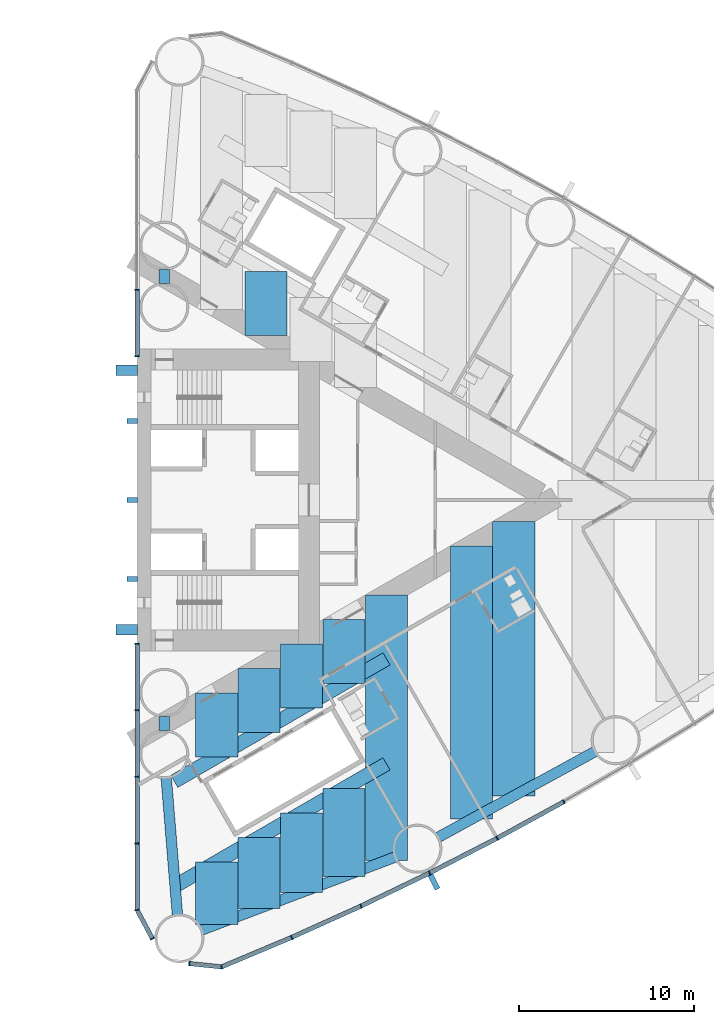
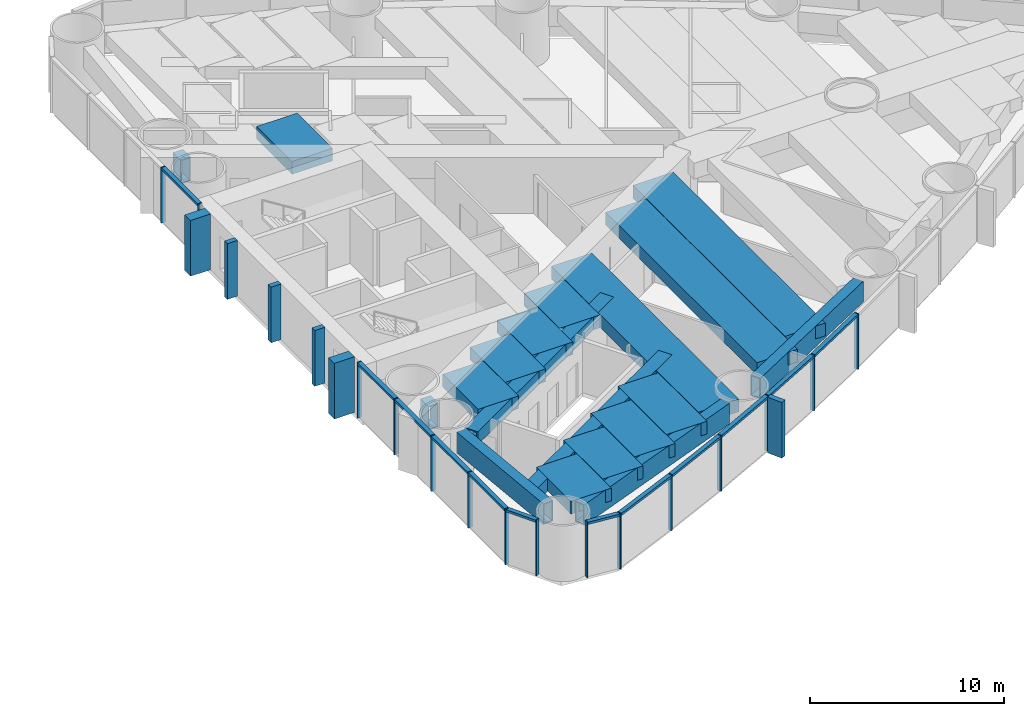
# One storey, part 6 of 19: 33 members, 19 beams, 3 elements without a shape of their own.
"""IFC4 building model written with IfcOpenShell, lengths in metres."""

import ifcopenshell
import ifcopenshell.guid

model = None  # the IFC model being written
_history = None  # IfcOwnerHistory: only IFC2X3 demands one
_inside = {}  # id of a spatial element -> (the spatial element, [elements in it])
_under = {}  # id of a project, library or spatial element -> (it, [spatial elements below it])
_declared = {}  # id of a project -> (the project, [libraries it declares])
_typed = {}  # id of a type object -> (the type object, [elements of that type])
_made_of = {}  # id of a material, layer set ... -> (it, [elements and type objects made of it])


def new_model(schema):
    """Start an empty IFC model of exactly this schema.

    Asked for "IFC4X3", IfcOpenShell would pick the latest addendum, in which some entities
    have other attributes; the version numbers below select the first issue.
    IFC2X3 requires an IfcOwnerHistory on every rooted entity: one is made here for all.
    """
    global model, _history
    if schema == "IFC4X3":
        model = ifcopenshell.file(schema_version=(4, 3, 0, 0))
    else:
        model = ifcopenshell.file(schema=schema)
    _inside.clear()
    _under.clear()
    _declared.clear()
    _typed.clear()
    _made_of.clear()
    _history = None
    if model.schema == "IFC2X3":
        org = make("IfcOrganization", Name="unknown")
        user = make(
            "IfcPersonAndOrganization",
            ThePerson=make("IfcPerson", FamilyName="unknown"),
            TheOrganization=org,
        )
        app = make(
            "IfcApplication",
            ApplicationDeveloper=org,
            Version="unknown",
            ApplicationFullName="unknown",
            ApplicationIdentifier="unknown",
        )
        _history = make(
            "IfcOwnerHistory",
            OwningUser=user,
            OwningApplication=app,
            ChangeAction="ADDED",
            CreationDate=0,
        )
    return model


def make(cls, **values):
    """One entity of the class cls with the attributes given. An attribute that is None is left unset."""
    return model.create_entity(
        cls, **{name: value for name, value in values.items() if value is not None}
    )


def rooted(cls, **values):
    """An entity with a GlobalId (a new one), such as an element, a storey or a relation."""
    return make(cls, GlobalId=ifcopenshell.guid.new(), OwnerHistory=_history, **values)


def si_unit(unit_type, name, prefix=None):
    """IfcSIUnit, for example si_unit("LENGTHUNIT", "METRE", prefix="MILLI")."""
    return make("IfcSIUnit", UnitType=unit_type, Prefix=prefix, Name=name)


def assignment(units):
    """IfcUnitAssignment: the units of a project."""
    return None if units is None else make("IfcUnitAssignment", Units=units)


def point(xyz):
    """IfcCartesianPoint."""
    return None if xyz is None else make("IfcCartesianPoint", Coordinates=xyz)


def direction(xyz):
    """IfcDirection."""
    return None if xyz is None else make("IfcDirection", DirectionRatios=xyz)


def frame(location, z_axis=None, x_axis=None):
    """IfcAxis2Placement3D, a coordinate frame: its origin and axes. An axis left out is left unset."""
    return make(
        "IfcAxis2Placement3D",
        Location=point(location),
        Axis=direction(z_axis),
        RefDirection=direction(x_axis),
    )


def frame_2d(location, x_axis=None):
    """IfcAxis2Placement2D, a coordinate frame in the plane: its origin and x axis."""
    return make(
        "IfcAxis2Placement2D", Location=point(location), RefDirection=direction(x_axis)
    )


def origin():
    """The frame at (0, 0, 0) with its axes left unset."""
    return frame((0.0, 0.0, 0.0))


def origin_2d():
    """The frame at (0, 0) in the plane with its x axis left unset."""
    return frame_2d((0.0, 0.0))


def place(relative_to, where):
    """IfcLocalPlacement: puts the frame where relative to a parent placement (None: the world)."""
    return make(
        "IfcLocalPlacement", PlacementRelTo=relative_to, RelativePlacement=where
    )


def context(
    kind, dimensions, precision=None, world=None, true_north=None, identifier=None
):
    """IfcGeometricRepresentationContext, for example the 3D "Model" context."""
    return make(
        "IfcGeometricRepresentationContext",
        ContextIdentifier=identifier,
        ContextType=kind,
        CoordinateSpaceDimension=dimensions,
        Precision=precision,
        WorldCoordinateSystem=world,
        TrueNorth=true_north,
    )


def subcontext(parent, identifier, kind, view, scale=None):
    """IfcGeometricRepresentationSubContext, for example "Body" below "Model"."""
    return make(
        "IfcGeometricRepresentationSubContext",
        ContextIdentifier=identifier,
        ContextType=kind,
        ParentContext=parent,
        TargetScale=scale,
        TargetView=view,
    )


def project(units=None, contexts=None):
    """IfcProject with its units and contexts."""
    return rooted(
        "IfcProject",
        Name="project",
        RepresentationContexts=contexts,
        UnitsInContext=assignment(units),
    )


def spatial(cls, under=None, at=None, **own):
    """A site, building, storey or space (cls), placed at a placement, below another one or the project."""
    s = rooted(cls, ObjectPlacement=at, **own)
    if under is not None:
        _under.setdefault(under.id(), (under, []))[1].append(s)
    return s


def profile(cls, at=None, kind="AREA", **sizes):
    """A parametric profile (cls). Its sizes go by their IFC names, for example OverallWidth=200.0."""
    return make(cls, ProfileType=kind, Position=at, **sizes)


def rectangle(**sizes):
    """IfcRectangleProfileDef."""
    return profile("IfcRectangleProfileDef", **sizes)


def hollow_rectangle(**sizes):
    """IfcRectangleHollowProfileDef."""
    return profile("IfcRectangleHollowProfileDef", **sizes)


def extrude(swept, where, along, depth):
    """IfcExtrudedAreaSolid: the profile swept, set in the frame where, extruded along a direction by depth."""
    return make(
        "IfcExtrudedAreaSolid",
        SweptArea=swept,
        Position=where,
        ExtrudedDirection=direction(along),
        Depth=depth,
    )


def shape(context_of_items, identifier, shape_type, items):
    """IfcShapeRepresentation: the items that make up one representation, for example the "Body"."""
    return make(
        "IfcShapeRepresentation",
        ContextOfItems=context_of_items,
        RepresentationIdentifier=identifier,
        RepresentationType=shape_type,
        Items=items,
    )


def material(Name=None, Category=None):
    """IfcMaterial."""
    return make("IfcMaterial", Name=Name, Category=Category)


def material_profile(
    of_material, cross_section, Name=None, Category=None, Priority=None
):
    """IfcMaterialProfile: a cross section and its material."""
    return make(
        "IfcMaterialProfile",
        Name=Name,
        Material=of_material,
        Profile=cross_section,
        Priority=Priority,
        Category=Category,
    )


def profile_set(profiles, Name=None, composite=None):
    """IfcMaterialProfileSet."""
    return make(
        "IfcMaterialProfileSet",
        Name=Name,
        MaterialProfiles=profiles,
        CompositeProfile=composite,
    )


def made_of(thing, what):
    """Note that an element or type object is made of a material, layer set ...; save() writes the relation."""
    if what is not None:
        _made_of.setdefault(what.id(), (what, []))[1].append(thing)
    return thing


def type_object(cls, material=None, **own):
    """A type object (cls), such as IfcWallType, which elements share."""
    return made_of(rooted(cls, **own), material)


def element(
    cls,
    number,
    at=None,
    inside=None,
    cuts=None,
    type_object=None,
    material=None,
    context=None,
    identifier="Body",
    shape_type=None,
    held_by="IfcProductDefinitionShape",
    body=None,
    shapes=None,
    **own,
):
    """One element of the class cls, such as IfcWall. Its Tag is "e" and its number.

    at: its placement. inside: the storey or other place that contains it. cuts: it is an
    opening in that element (IfcRelVoidsElement). A single representation is given by context,
    identifier, shape_type and body (its items); several are given by shapes. held_by: the class
    of the entity that holds the representations. save() writes the other relations.
    """
    e = rooted(cls, Tag="e%d" % number, ObjectPlacement=at, **own)
    if body is not None:
        shapes = [shape(context, identifier, shape_type, body)]
    if shapes is not None:
        e.Representation = make(held_by, Representations=shapes)
    if inside is not None:
        _inside.setdefault(inside.id(), (inside, []))[1].append(e)
    if cuts is not None:
        rooted(
            "IfcRelVoidsElement", RelatingBuildingElement=cuts, RelatedOpeningElement=e
        )
    if type_object is not None:
        _typed.setdefault(type_object.id(), (type_object, []))[1].append(e)
    return made_of(e, material)


def aggregate(whole, parts):
    """IfcRelAggregates: a whole, such as a stair, and the parts it consists of."""
    return rooted("IfcRelAggregates", RelatingObject=whole, RelatedObjects=parts)


def save(model, path):
    """Write the relations noted so far, then the file.

    IfcRelAggregates (storeys below a building ...), IfcRelContainedInSpatialStructure (elements
    in a storey), IfcRelDefinesByType, IfcRelAssociatesMaterial and IfcRelDeclares: one each for
    every whole, place, type object, material and project.
    """
    for whole, parts in _under.values():
        aggregate(whole, parts)
    for where, things in _inside.values():
        rooted(
            "IfcRelContainedInSpatialStructure",
            RelatedElements=things,
            RelatingStructure=where,
        )
    for kind, things in _typed.values():
        rooted("IfcRelDefinesByType", RelatedObjects=things, RelatingType=kind)
    for what, things in _made_of.values():
        rooted("IfcRelAssociatesMaterial", RelatedObjects=things, RelatingMaterial=what)
    for by, libraries in _declared.values():
        rooted("IfcRelDeclares", RelatingContext=by, RelatedDefinitions=libraries)
    model.write(path)


model = new_model("IFC4")

# Units and contexts
model_context = context("Model", 3, precision=1e-05, world=origin(), true_north=direction((0.0, 1.0)))
body_context = subcontext(model_context, "Body", "Model", "MODEL_VIEW")
ifc_project = project(units=[si_unit("LENGTHUNIT", "METRE"), si_unit("AREAUNIT", "SQUARE_METRE"), si_unit("VOLUMEUNIT", "CUBIC_METRE"), si_unit("PLANEANGLEUNIT", "RADIAN"), si_unit("MASSUNIT", "GRAM", prefix="KILO")], contexts=[model_context])

# Site, building, storey
site_placement = place(None, origin())
site = spatial("IfcSite", under=ifc_project, at=site_placement, CompositionType="ELEMENT")
building_placement = place(site_placement, origin())
building = spatial("IfcBuilding", under=site, at=building_placement, Name="Lancet Gate Hotel", CompositionType="ELEMENT")
storey_placement = place(building_placement, frame((0.0, 0.0, 74.0)))
storey = spatial("IfcBuildingStorey", under=building, at=storey_placement, Name="L19", CompositionType="ELEMENT", Elevation=74.0)

# Curtain wall, members
ifc_material_1 = material(Name="Aluminium curtain wall", Category="aluminium")
curtain_wall_type = type_object("IfcCurtainWallType", Name="Tower unitised curtain wall", PredefinedType="USERDEFINED", material=ifc_material_1)
curtain_wall_1_placement = place(storey_placement, origin())
curtain_wall_1 = element("IfcCurtainWall", 1, at=curtain_wall_1_placement, inside=storey, type_object=curtain_wall_type, Name="T2 L19 curtain wall 1", ObjectType="UNITISED CURTAIN WALL", PredefinedType="USERDEFINED")
ifc_material_2 = material(Name="Aluminium mullion", Category="aluminium")
ifc_material_profile_1 = material_profile(ifc_material_2, rectangle(XDim=0.06494140625, YDim=0.25, at=origin_2d()), Name="MULLION 65x250")
ifc_profile_set_1 = profile_set([ifc_material_profile_1], Name="Aluminium mullion")
member_type_1 = type_object("IfcMemberType", Name="Aluminium mullion 65x250", PredefinedType="MULLION", material=ifc_profile_set_1)
member_1_placement = place(storey_placement, frame((27.5, -8.199951171875, 0.0), z_axis=(0.0, 0.0, 1.0), x_axis=(0.0, -1.0, 0.0)))
member_1 = element("IfcMember", 2, at=member_1_placement, type_object=member_type_1, Name="T2 L19 curtain wall 1 mullion 1", PredefinedType="MULLION", context=body_context, shape_type="SweptSolid", body=[
    extrude(rectangle(XDim=0.06494140625, YDim=0.25, at=origin_2d()), origin(), (0.0, 0.0, 1.0), 3.5),
])
member_2_placement = place(storey_placement, frame((27.5, -11.99609375, 0.0), z_axis=(0.0, 0.0, 1.0), x_axis=(0.0, -1.0, 0.0)))
member_2 = element("IfcMember", 3, at=member_2_placement, type_object=member_type_1, Name="T2 L19 curtain wall 1 mullion 2", PredefinedType="MULLION", context=body_context, shape_type="SweptSolid", body=[
    extrude(rectangle(XDim=0.06494140625, YDim=0.25, at=origin_2d()), origin(), (0.0, 0.0, 1.0), 3.5),
])
member_3_placement = place(storey_placement, frame((27.5, -15.79248046875, 0.0), z_axis=(0.0, 0.0, 1.0), x_axis=(0.0, -1.0, 0.0)))
member_3 = element("IfcMember", 4, at=member_3_placement, type_object=member_type_1, Name="T2 L19 curtain wall 1 mullion 3", PredefinedType="MULLION", context=body_context, shape_type="SweptSolid", body=[
    extrude(rectangle(XDim=0.06494140625, YDim=0.25, at=origin_2d()), origin(), (0.0, 0.0, 1.0), 3.5),
])
member_4_placement = place(storey_placement, frame((27.5, -19.588623046875, 0.0), z_axis=(0.0, 0.0, 1.0), x_axis=(0.0, -1.0, 0.0)))
member_4 = element("IfcMember", 5, at=member_4_placement, type_object=member_type_1, Name="T2 L19 curtain wall 1 mullion 4", PredefinedType="MULLION", context=body_context, shape_type="SweptSolid", body=[
    extrude(rectangle(XDim=0.06494140625, YDim=0.25, at=origin_2d()), origin(), (0.0, 0.0, 1.0), 3.5),
])
member_5_placement = place(storey_placement, frame((27.5, -23.384765625, 0.0), z_axis=(0.0, 0.0, 1.0), x_axis=(0.157751691459, -0.987478811844, 0.0)))
member_5 = element("IfcMember", 6, at=member_5_placement, type_object=member_type_1, Name="T2 L19 curtain wall 1 mullion 5", PredefinedType="MULLION", context=body_context, shape_type="SweptSolid", body=[
    extrude(rectangle(XDim=0.06494140625, YDim=0.25, at=origin_2d()), origin(), (0.0, 0.0, 1.0), 3.5),
])
member_6_placement = place(storey_placement, frame((28.366455078125, -25.012451171875, 0.0), z_axis=(0.0, 0.0, 1.0), x_axis=(0.469897827284, -0.882720811987, 0.0)))
member_6 = element("IfcMember", 7, at=member_6_placement, type_object=member_type_1, Name="T2 L19 curtain wall 1 mullion 6", PredefinedType="MULLION", context=body_context, shape_type="SweptSolid", body=[
    extrude(rectangle(XDim=0.06494140625, YDim=0.25, at=origin_2d()), origin(), (0.0, 0.0, 1.0), 3.5),
])

curtain_wall_2_placement = place(storey_placement, origin())
curtain_wall_2 = element("IfcCurtainWall", 8, at=curtain_wall_2_placement, inside=storey, type_object=curtain_wall_type, Name="T2 L19 curtain wall 2", ObjectType="UNITISED CURTAIN WALL", PredefinedType="USERDEFINED")
member_7_placement = place(storey_placement, frame((30.48388671875, -26.4375, 0.0), z_axis=(0.0, 0.0, 1.0), x_axis=(0.994672262412, -0.10308778001, 0.0)))
member_7 = element("IfcMember", 9, at=member_7_placement, type_object=member_type_1, Name="T2 L19 curtain wall 2 mullion 1", PredefinedType="MULLION", context=body_context, shape_type="SweptSolid", body=[
    extrude(rectangle(XDim=0.06494140625, YDim=0.25, at=origin_2d()), origin(), (0.0, 0.0, 1.0), 3.5),
])
member_8_placement = place(storey_placement, frame((32.3173828125, -26.62744140625, 0.0), z_axis=(0.0, 0.0, 1.0), x_axis=(0.968721492963, 0.248150496819, 0.0)))
member_8 = element("IfcMember", 10, at=member_8_placement, type_object=member_type_1, Name="T2 L19 curtain wall 2 mullion 2", PredefinedType="MULLION", context=body_context, shape_type="SweptSolid", body=[
    extrude(rectangle(XDim=0.06494140625, YDim=0.25, at=origin_2d()), origin(), (0.0, 0.0, 1.0), 3.5),
])
member_9_placement = place(storey_placement, frame((36.31494140625, -24.943603515625, 0.0), z_axis=(0.0, 0.0, 1.0), x_axis=(0.916578705089, 0.399854320193, 0.0)))
member_9 = element("IfcMember", 11, at=member_9_placement, type_object=member_type_1, Name="T2 L19 curtain wall 2 mullion 3", PredefinedType="MULLION", context=body_context, shape_type="SweptSolid", body=[
    extrude(rectangle(XDim=0.06494140625, YDim=0.25, at=origin_2d()), origin(), (0.0, 0.0, 1.0), 3.5),
])
member_10_placement = place(storey_placement, frame((40.2685546875, -23.15869140625, 0.0), z_axis=(0.0, 0.0, 1.0), x_axis=(0.906104948671, 0.423052977762, 0.0)))
member_10 = element("IfcMember", 12, at=member_10_placement, type_object=member_type_1, Name="T2 L19 curtain wall 2 mullion 4", PredefinedType="MULLION", context=body_context, shape_type="SweptSolid", body=[
    extrude(rectangle(XDim=0.06494140625, YDim=0.25, at=origin_2d()), origin(), (0.0, 0.0, 1.0), 3.5),
])
member_11_placement = place(storey_placement, frame((44.17529296875, -21.273681640625, 0.0), z_axis=(0.0, 0.0, 1.0), x_axis=(0.895044147438, 0.445977548917, 0.0)))
member_11 = element("IfcMember", 13, at=member_11_placement, type_object=member_type_1, Name="T2 L19 curtain wall 2 mullion 5", PredefinedType="MULLION", context=body_context, shape_type="SweptSolid", body=[
    extrude(rectangle(XDim=0.06494140625, YDim=0.25, at=origin_2d()), origin(), (0.0, 0.0, 1.0), 3.5),
])
member_12_placement = place(storey_placement, frame((48.03271484375, -19.2900390625, 0.0), z_axis=(0.0, 0.0, 1.0), x_axis=(0.88340346743, 0.468613181347, 0.0)))
member_12 = element("IfcMember", 14, at=member_12_placement, type_object=member_type_1, Name="T2 L19 curtain wall 2 mullion 6", PredefinedType="MULLION", context=body_context, shape_type="SweptSolid", body=[
    extrude(rectangle(XDim=0.06494140625, YDim=0.25, at=origin_2d()), origin(), (0.0, 0.0, 1.0), 3.5),
])
member_13_placement = place(storey_placement, frame((51.838623046875, -17.208740234375, 0.0), z_axis=(0.0, 0.0, 1.0), x_axis=(0.871190450382, 0.490945209941, 0.0)))
member_13 = element("IfcMember", 15, at=member_13_placement, type_object=member_type_1, Name="T2 L19 curtain wall 2 mullion 7", PredefinedType="MULLION", context=body_context, shape_type="SweptSolid", body=[
    extrude(rectangle(XDim=0.06494140625, YDim=0.25, at=origin_2d()), origin(), (0.0, 0.0, 1.0), 3.5),
])

curtain_wall_3_placement = place(storey_placement, origin())
curtain_wall_3 = element("IfcCurtainWall", 16, at=curtain_wall_3_placement, inside=storey, type_object=curtain_wall_type, Name="T2 L19 curtain wall 4", ObjectType="UNITISED CURTAIN WALL", PredefinedType="USERDEFINED")
member_14_placement = place(storey_placement, frame((27.5, 11.99609375, 0.0), z_axis=(0.0, 0.0, 1.0), x_axis=(0.0, -1.0, 0.0)))
member_14 = element("IfcMember", 17, at=member_14_placement, type_object=member_type_1, Name="T2 L19 curtain wall 4 mullion 5", PredefinedType="MULLION", context=body_context, shape_type="SweptSolid", body=[
    extrude(rectangle(XDim=0.06494140625, YDim=0.25, at=origin_2d()), origin(), (0.0, 0.0, 1.0), 3.5),
])
member_15_placement = place(storey_placement, frame((27.5, 8.199951171875, 0.0), z_axis=(0.0, 0.0, 1.0), x_axis=(0.0, -1.0, 0.0)))
member_15 = element("IfcMember", 18, at=member_15_placement, type_object=member_type_1, Name="T2 L19 curtain wall 4 mullion 6", PredefinedType="MULLION", context=body_context, shape_type="SweptSolid", body=[
    extrude(rectangle(XDim=0.06494140625, YDim=0.25, at=origin_2d()), origin(), (0.0, 0.0, 1.0), 3.5),
])

# Member
ifc_material_3 = material(Name="Aluminium transom", Category="aluminium")
ifc_material_profile_2 = material_profile(ifc_material_3, rectangle(XDim=0.25, YDim=0.14990234375, at=origin_2d()), Name="TRANSOM 250x150")
ifc_profile_set_2 = profile_set([ifc_material_profile_2], Name="Aluminium transom")
member_type_2 = type_object("IfcMemberType", Name="Aluminium transom 250x150", PredefinedType="USERDEFINED", material=ifc_profile_set_2)
member_16_placement = place(storey_placement, frame((27.5, -8.232421875, 3.425048828125), z_axis=(0.0, -1.0, 0.0), x_axis=(1.0, 0.0, 0.0)))
member_16 = element("IfcMember", 19, at=member_16_placement, type_object=member_type_2, Name="T2 L19 curtain wall 1 transom 1", ObjectType="TRANSOM", PredefinedType="USERDEFINED", context=body_context, shape_type="SweptSolid", body=[
    extrude(rectangle(XDim=0.25, YDim=0.14990234375, at=origin_2d()), origin(), (0.0, 0.0, 1.0), 3.731201171875),
])

member_17_placement = place(storey_placement, frame((27.5, -12.02880859375, 3.425048828125), z_axis=(0.0, -1.0, 0.0), x_axis=(1.0, 0.0, 0.0)))
member_17 = element("IfcMember", 20, at=member_17_placement, type_object=member_type_2, Name="T2 L19 curtain wall 1 transom 2", ObjectType="TRANSOM", PredefinedType="USERDEFINED", context=body_context, shape_type="SweptSolid", body=[
    extrude(rectangle(XDim=0.25, YDim=0.14990234375, at=origin_2d()), origin(), (0.0, 0.0, 1.0), 3.731201171875),
])

member_18_placement = place(storey_placement, frame((27.5, -15.824951171875, 3.425048828125), z_axis=(0.0, -1.0, 0.0), x_axis=(1.0, 0.0, 0.0)))
member_18 = element("IfcMember", 21, at=member_18_placement, type_object=member_type_2, Name="T2 L19 curtain wall 1 transom 3", ObjectType="TRANSOM", PredefinedType="USERDEFINED", context=body_context, shape_type="SweptSolid", body=[
    extrude(rectangle(XDim=0.25, YDim=0.14990234375, at=origin_2d()), origin(), (0.0, 0.0, 1.0), 3.731201171875),
])

member_19_placement = place(storey_placement, frame((27.5, -19.62109375, 3.425048828125), z_axis=(0.0, -1.0, 0.0), x_axis=(1.0, 0.0, 0.0)))
member_19 = element("IfcMember", 22, at=member_19_placement, type_object=member_type_2, Name="T2 L19 curtain wall 1 transom 4", ObjectType="TRANSOM", PredefinedType="USERDEFINED", context=body_context, shape_type="SweptSolid", body=[
    extrude(rectangle(XDim=0.25, YDim=0.14990234375, at=origin_2d()), origin(), (0.0, 0.0, 1.0), 3.731201171875),
])

member_20_placement = place(storey_placement, frame((27.515380859375, -23.41357421875, 3.425048828125), z_axis=(0.469904276347, -0.882717378933, 0.0), x_axis=(0.882717378933, 0.469904276347, 0.0)))
member_20 = element("IfcMember", 23, at=member_20_placement, type_object=member_type_2, Name="T2 L19 curtain wall 1 transom 5", ObjectType="TRANSOM", PredefinedType="USERDEFINED", context=body_context, shape_type="SweptSolid", body=[
    extrude(rectangle(XDim=0.25, YDim=0.14990234375, at=origin_2d()), origin(), (0.0, 0.0, 1.0), 1.779052734375),
])

aggregate(curtain_wall_1, [member_1, member_2, member_3, member_4, member_5, member_6, member_16, member_17, member_18, member_19, member_20])

member_21_placement = place(storey_placement, frame((30.516357421875, -26.440673828125, 3.425048828125), z_axis=(0.994670452051, -0.103105246306, 0.0), x_axis=(0.103105246306, 0.994670452051, 0.0)))
member_21 = element("IfcMember", 24, at=member_21_placement, type_object=member_type_2, Name="T2 L19 curtain wall 2 transom 1", ObjectType="TRANSOM", PredefinedType="USERDEFINED", context=body_context, shape_type="SweptSolid", body=[
    extrude(rectangle(XDim=0.25, YDim=0.14990234375, at=origin_2d()), origin(), (0.0, 0.0, 1.0), 1.7783203125),
])

member_22_placement = place(storey_placement, frame((32.347412109375, -26.61474609375, 3.425048828125), z_axis=(0.92159772617, 0.388146404233, 0.0), x_axis=(-0.388146404233, 0.92159772617, 0.0)))
member_22 = element("IfcMember", 25, at=member_22_placement, type_object=member_type_2, Name="T2 L19 curtain wall 2 transom 2", ObjectType="TRANSOM", PredefinedType="USERDEFINED", context=body_context, shape_type="SweptSolid", body=[
    extrude(rectangle(XDim=0.25, YDim=0.14990234375, at=origin_2d()), origin(), (0.0, 0.0, 1.0), 4.272705078125),
])

member_23_placement = place(storey_placement, frame((36.3447265625, -24.930419921875, 3.425048828125), z_axis=(0.911396871737, 0.411528543589, 0.0), x_axis=(-0.411528543589, 0.911396871737, 0.0)))
member_23 = element("IfcMember", 26, at=member_23_placement, type_object=member_type_2, Name="T2 L19 curtain wall 2 transom 3", ObjectType="TRANSOM", PredefinedType="USERDEFINED", context=body_context, shape_type="SweptSolid", body=[
    extrude(rectangle(XDim=0.25, YDim=0.14990234375, at=origin_2d()), origin(), (0.0, 0.0, 1.0), 4.272705078125),
])

member_24_placement = place(storey_placement, frame((40.2978515625, -23.14453125, 3.425048828125), z_axis=(0.900646499888, 0.434552508035, 0.0), x_axis=(-0.434552508035, 0.900646499888, 0.0)))
member_24 = element("IfcMember", 27, at=member_24_placement, type_object=member_type_2, Name="T2 L19 curtain wall 2 transom 4", ObjectType="TRANSOM", PredefinedType="USERDEFINED", context=body_context, shape_type="SweptSolid", body=[
    extrude(rectangle(XDim=0.25, YDim=0.14990234375, at=origin_2d()), origin(), (0.0, 0.0, 1.0), 4.272705078125),
])

member_25_placement = place(storey_placement, frame((44.2041015625, -21.259033203125, 3.425048828125), z_axis=(0.88929576978, 0.457332520002, 0.0), x_axis=(-0.457332520002, 0.88929576978, 0.0)))
member_25 = element("IfcMember", 28, at=member_25_placement, type_object=member_type_2, Name="T2 L19 curtain wall 2 transom 5", ObjectType="TRANSOM", PredefinedType="USERDEFINED", context=body_context, shape_type="SweptSolid", body=[
    extrude(rectangle(XDim=0.25, YDim=0.14990234375, at=origin_2d()), origin(), (0.0, 0.0, 1.0), 4.272705078125),
])

member_26_placement = place(storey_placement, frame((48.061279296875, -19.2744140625, 3.425048828125), z_axis=(0.877377528879, 0.479800658417, 0.0), x_axis=(-0.479800658417, 0.877377528879, 0.0)))
member_26 = element("IfcMember", 29, at=member_26_placement, type_object=member_type_2, Name="T2 L19 curtain wall 2 transom 6", ObjectType="TRANSOM", PredefinedType="USERDEFINED", context=body_context, shape_type="SweptSolid", body=[
    extrude(rectangle(XDim=0.25, YDim=0.14990234375, at=origin_2d()), origin(), (0.0, 0.0, 1.0), 4.272705078125),
])

member_27_placement = place(storey_placement, frame((27.5, 11.963623046875, 3.425048828125), z_axis=(0.0, -1.0, 0.0), x_axis=(1.0, 0.0, 0.0)))
member_27 = element("IfcMember", 30, at=member_27_placement, type_object=member_type_2, Name="T2 L19 curtain wall 4 transom 5", ObjectType="TRANSOM", PredefinedType="USERDEFINED", context=body_context, shape_type="SweptSolid", body=[
    extrude(rectangle(XDim=0.25, YDim=0.14990234375, at=origin_2d()), origin(), (0.0, 0.0, 1.0), 3.731201171875),
])

aggregate(curtain_wall_3, [member_14, member_15, member_27])

# Beams
ifc_material_4 = material(Name="Steel S460QL", Category="steel")
ifc_material_profile_3 = material_profile(ifc_material_4, hollow_rectangle(XDim=0.60009765625, YDim=1.300048828125, WallThickness=0.050048828125, at=origin_2d()), Name="BOX 1300x600x50")
ifc_profile_set_3 = profile_set([ifc_material_profile_3], Name="Steel S460QL")
beam_type_1 = type_object("IfcBeamType", Name="Edge beam BOX 1300x600x50", PredefinedType="SPANDREL", material=ifc_profile_set_3)
beam_1_placement = place(storey_placement, frame((31.17431640625, -24.5263671875, 2.60009765625), z_axis=(0.935731193997, 0.352713952916, 0.0), x_axis=(-0.352713952916, 0.935731193997, 0.0)))
element("IfcBeam", 31, at=beam_1_placement, inside=storey, type_object=beam_type_1, Name="T2 edge beam EB2 L19", PredefinedType="SPANDREL", context=body_context, shape_type="SweptSolid", body=[
    extrude(hollow_rectangle(XDim=0.60009765625, YDim=1.300048828125, WallThickness=0.050048828125, at=origin_2d()), origin(), (0.0, 0.0, 1.0), 11.80517578125),
])
beam_2_placement = place(storey_placement, frame((44.66845703125, -19.23876953125, 2.60009765625), z_axis=(0.877364994531, 0.479823578383, 0.0), x_axis=(-0.479823578383, 0.877364994531, 0.0)))
element("IfcBeam", 32, at=beam_2_placement, inside=storey, type_object=beam_type_1, Name="T2 edge beam EB2 L19", PredefinedType="SPANDREL", context=body_context, shape_type="SweptSolid", body=[
    extrude(hollow_rectangle(XDim=0.60009765625, YDim=1.300048828125, WallThickness=0.050048828125, at=origin_2d()), origin(), (0.0, 0.0, 1.0), 10.192138671875),
])
beam_3_placement = place(storey_placement, frame((29.80078125, -23.656982421875, 2.60009765625), z_axis=(-0.081704905917, 0.996656564895, 0.0), x_axis=(-0.996656564895, -0.081704905917, 0.0)))
element("IfcBeam", 33, at=beam_3_placement, inside=storey, type_object=beam_type_1, Name="T2 edge beam EB2 L19", PredefinedType="SPANDREL", context=body_context, shape_type="SweptSolid", body=[
    extrude(hollow_rectangle(XDim=0.60009765625, YDim=1.300048828125, WallThickness=0.050048828125, at=origin_2d()), origin(), (0.0, 0.0, 1.0), 7.837646484375),
])

# Members
ifc_material_5 = material(Name="Concrete C60/75", Category="concrete")
ifc_material_profile_4 = material_profile(ifc_material_5, rectangle(XDim=0.60009765625, YDim=1.199951171875, at=origin_2d()), Name="FIN 600x1200")
ifc_profile_set_4 = profile_set([ifc_material_profile_4], Name="Concrete C60/75")
member_type_3 = type_object("IfcMemberType", Name="Exposed concrete buttress pilaster 600x1200", PredefinedType="USERDEFINED", material=ifc_profile_set_4)
for number, where, z_axis, x_axis, name in (
    (34, (26.909912109375, -7.39990234375, 0.0), (0.0, 0.0, 1.0), (0.0, 1.0, 0.0), "T2 buttress pilaster S L19"),
    (35, (26.909912109375, 7.39990234375, 0.0), (0.0, 0.0, 1.0), (0.0, 1.0, 0.0), "T2 buttress pilaster N L19"),
):
    element("IfcMember", number, at=place(storey_placement, frame(where, z_axis=z_axis, x_axis=x_axis)), inside=storey, type_object=member_type_3, Name=name, ObjectType="FIN", PredefinedType="USERDEFINED", context=body_context, shape_type="SweptSolid", body=[
        extrude(rectangle(XDim=0.60009765625, YDim=1.199951171875, at=origin_2d()), origin(), (0.0, 0.0, 1.0), 3.5),
    ])

# Member
ifc_material_6 = material(Name="Precast concrete C50/60", Category="concrete")
ifc_material_profile_5 = material_profile(ifc_material_6, rectangle(XDim=0.300048828125, YDim=0.89990234375, at=origin_2d()), Name="FIN 300x900")
ifc_profile_set_5 = profile_set([ifc_material_profile_5], Name="Precast concrete C50/60")
member_type_4 = type_object("IfcMemberType", Name="Exposed concrete fin 300x900", PredefinedType="USERDEFINED", material=ifc_profile_set_5)
member_28_placement = place(storey_placement, frame((44.431640625, -21.788330078125, 0.0), z_axis=(0.0, 0.0, 1.0), x_axis=(0.895044147438, 0.445977548917, 0.0)))
member_28 = element("IfcMember", 36, at=member_28_placement, type_object=member_type_4, Name="T2 L19 curtain wall 2 fin 5", ObjectType="FIN", PredefinedType="USERDEFINED", context=body_context, shape_type="SweptSolid", body=[
    extrude(rectangle(XDim=0.300048828125, YDim=0.89990234375, at=origin_2d()), origin(), (0.0, 0.0, 1.0), 3.5),
])

aggregate(curtain_wall_2, [member_7, member_8, member_9, member_10, member_11, member_28, member_12, member_13, member_21, member_22, member_23, member_24, member_25, member_26])

# Members
ifc_material_7 = material(Name="Concrete C60/75", Category="concrete")
ifc_material_profile_6 = material_profile(ifc_material_7, rectangle(XDim=0.300048828125, YDim=0.60009765625, at=origin_2d()), Name="FIN 300x600")
ifc_profile_set_6 = profile_set([ifc_material_profile_6], Name="Concrete C60/75")
member_type_5 = type_object("IfcMemberType", Name="Exposed concrete rib 300x600", PredefinedType="USERDEFINED", material=ifc_profile_set_6)
for number, where, z_axis, x_axis, name in (
    (37, (27.2099609375, -4.5, 0.0), (0.0, 0.0, 1.0), (0.0, 1.0, 0.0), "T2 core rib 1 L19"),
    (38, (27.2099609375, 0.0, 0.0), (0.0, 0.0, 1.0), (0.0, 1.0, 0.0), "T2 core rib 2 L19"),
    (39, (27.2099609375, 4.5, 0.0), (0.0, 0.0, 1.0), (0.0, 1.0, 0.0), "T2 core rib 3 L19"),
):
    element("IfcMember", number, at=place(storey_placement, frame(where, z_axis=z_axis, x_axis=x_axis)), inside=storey, type_object=member_type_5, Name=name, ObjectType="FIN", PredefinedType="USERDEFINED", context=body_context, shape_type="SweptSolid", body=[
        extrude(rectangle(XDim=0.300048828125, YDim=0.60009765625, at=origin_2d()), origin(), (0.0, 0.0, 1.0), 3.5),
    ])

# Beams
ifc_material_8 = material(Name="Concrete C50/60", Category="concrete")
ifc_material_profile_7 = material_profile(ifc_material_8, rectangle(XDim=2.39990234375, YDim=0.800048828125, at=origin_2d()), Name="RC 2400x800")
ifc_profile_set_7 = profile_set([ifc_material_profile_7], Name="Concrete C50/60")
beam_type_2 = type_object("IfcBeamType", Name="Floor beam RC 2400x800", PredefinedType="BEAM", material=ifc_profile_set_7)
beam_4_placement = place(storey_placement, frame((41.721435546875, -20.55078125, 2.85009765625), z_axis=(0.0, 1.0, 0.0), x_axis=(-1.0, 0.0, 0.0)))
element("IfcBeam", 40, at=beam_4_placement, inside=storey, type_object=beam_type_2, Name="T2 floor beam F11S L19", PredefinedType="BEAM", context=body_context, shape_type="SweptSolid", body=[
    extrude(rectangle(XDim=2.39990234375, YDim=0.800048828125, at=origin_2d()), origin(), (0.0, 0.0, 1.0), 15.134765625),
])
beam_5_placement = place(storey_placement, frame((46.561767578125, -18.203369140625, 2.85009765625), z_axis=(0.0, 1.0, 0.0), x_axis=(-1.0, 0.0, 0.0)))
element("IfcBeam", 41, at=beam_5_placement, inside=storey, type_object=beam_type_2, Name="T2 floor beam F13S L19", PredefinedType="BEAM", context=body_context, shape_type="SweptSolid", body=[
    extrude(rectangle(XDim=2.39990234375, YDim=0.800048828125, at=origin_2d()), origin(), (0.0, 0.0, 1.0), 15.58203125),
])
beam_6_placement = place(storey_placement, frame((48.98193359375, -16.879638671875, 2.85009765625), z_axis=(0.0, 1.0, 0.0), x_axis=(-1.0, 0.0, 0.0)))
element("IfcBeam", 42, at=beam_6_placement, inside=storey, type_object=beam_type_2, Name="T2 floor beam F15S L19", PredefinedType="BEAM", context=body_context, shape_type="SweptSolid", body=[
    extrude(rectangle(XDim=2.39990234375, YDim=0.800048828125, at=origin_2d()), origin(), (0.0, 0.0, 1.0), 15.655517578125),
])
beam_7_placement = place(storey_placement, frame((32.04052734375, -24.199951171875, 2.85009765625), z_axis=(0.0, 1.0, 0.0), x_axis=(-1.0, 0.0, 0.0)))
element("IfcBeam", 43, at=beam_7_placement, inside=storey, type_object=beam_type_2, Name="T2 floor beam F03SA L19", PredefinedType="BEAM", context=body_context, shape_type="SweptSolid", body=[
    extrude(rectangle(XDim=2.39990234375, YDim=0.800048828125, at=origin_2d()), origin(), (0.0, 0.0, 1.0), 3.5615234375),
])
beam_8_placement = place(storey_placement, frame((32.04052734375, -14.65087890625, 2.85009765625), z_axis=(0.0, 1.0, 0.0), x_axis=(-1.0, 0.0, 0.0)))
element("IfcBeam", 44, at=beam_8_placement, inside=storey, type_object=beam_type_2, Name="T2 floor beam F03SB L19", PredefinedType="BEAM", context=body_context, shape_type="SweptSolid", body=[
    extrude(rectangle(XDim=2.39990234375, YDim=0.800048828125, at=origin_2d()), origin(), (0.0, 0.0, 1.0), 3.6455078125),
])
beam_9_placement = place(storey_placement, frame((34.460693359375, -23.28759765625, 2.85009765625), z_axis=(0.0, 1.0, 0.0), x_axis=(-1.0, 0.0, 0.0)))
element("IfcBeam", 45, at=beam_9_placement, inside=storey, type_object=beam_type_2, Name="T2 floor beam F05SA L19", PredefinedType="BEAM", context=body_context, shape_type="SweptSolid", body=[
    extrude(rectangle(XDim=2.39990234375, YDim=0.800048828125, at=origin_2d()), origin(), (0.0, 0.0, 1.0), 4.04638671875),
])
for number, where, z_axis, x_axis, name in (
    (46, (34.460693359375, -13.253662109375, 2.85009765625), (0.0, 1.0, 0.0), (-1.0, 0.0, 0.0), "T2 floor beam F05SB L19"),
    (47, (34.859619140625, 9.377685546875, 2.85009765625), (0.0, 1.0, 0.0), (-1.0, 0.0, 0.0), "T2 floor beam F06NA L19"),
):
    element("IfcBeam", number, at=place(storey_placement, frame(where, z_axis=z_axis, x_axis=x_axis)), inside=storey, type_object=beam_type_2, Name=name, PredefinedType="BEAM", context=body_context, shape_type="SweptSolid", body=[
        extrude(rectangle(XDim=2.39990234375, YDim=0.800048828125, at=origin_2d()), origin(), (0.0, 0.0, 1.0), 3.645751953125),
    ])
beam_10_placement = place(storey_placement, frame((36.880859375, -22.37548828125, 2.85009765625), z_axis=(0.0, 1.0, 0.0), x_axis=(-1.0, 0.0, 0.0)))
element("IfcBeam", 48, at=beam_10_placement, inside=storey, type_object=beam_type_2, Name="T2 floor beam F07SA L19", PredefinedType="BEAM", context=body_context, shape_type="SweptSolid", body=[
    extrude(rectangle(XDim=2.39990234375, YDim=0.800048828125, at=origin_2d()), origin(), (0.0, 0.0, 1.0), 4.53173828125),
])
beam_11_placement = place(storey_placement, frame((36.880859375, -11.8564453125, 2.85009765625), z_axis=(0.0, 1.0, 0.0), x_axis=(-1.0, 0.0, 0.0)))
element("IfcBeam", 49, at=beam_11_placement, inside=storey, type_object=beam_type_2, Name="T2 floor beam F07SB L19", PredefinedType="BEAM", context=body_context, shape_type="SweptSolid", body=[
    extrude(rectangle(XDim=2.39990234375, YDim=0.800048828125, at=origin_2d()), origin(), (0.0, 0.0, 1.0), 3.645751953125),
])
beam_12_placement = place(storey_placement, frame((39.301025390625, -21.463134765625, 2.85009765625), z_axis=(0.0, 1.0, 0.0), x_axis=(-1.0, 0.0, 0.0)))
element("IfcBeam", 50, at=beam_12_placement, inside=storey, type_object=beam_type_2, Name="T2 floor beam F09SA L19", PredefinedType="BEAM", context=body_context, shape_type="SweptSolid", body=[
    extrude(rectangle(XDim=2.39990234375, YDim=0.800048828125, at=origin_2d()), origin(), (0.0, 0.0, 1.0), 5.0166015625),
])
beam_13_placement = place(storey_placement, frame((39.301025390625, -10.458984375, 2.85009765625), z_axis=(0.0, 1.0, 0.0), x_axis=(-1.0, 0.0, 0.0)))
element("IfcBeam", 51, at=beam_13_placement, inside=storey, type_object=beam_type_2, Name="T2 floor beam F09SB L19", PredefinedType="BEAM", context=body_context, shape_type="SweptSolid", body=[
    extrude(rectangle(XDim=2.39990234375, YDim=0.800048828125, at=origin_2d()), origin(), (0.0, 0.0, 1.0), 3.6455078125),
])
ifc_material_9 = material(Name="Steel S460QL", Category="steel")
ifc_material_profile_8 = material_profile(ifc_material_9, hollow_rectangle(XDim=0.60009765625, YDim=1.5, WallThickness=0.050048828125, at=origin_2d()), Name="BOX 1500x600x50")
ifc_profile_set_8 = profile_set([ifc_material_profile_8], Name="Steel S460QL")
beam_type_3 = type_object("IfcBeamType", Name="Inner-face link beam BOX 1500x600x50", PredefinedType="BEAM", material=ifc_profile_set_8)
for number, where, z_axis, x_axis, name in (
    (52, (29.050048828125, -13.14990234375, 2.5), (0.0, 1.0, 0.0), (-1.0, 0.0, 0.0), "T2 inner-face link beam LK1 L19"),
    (53, (29.050048828125, 12.35009765625, 2.5), (0.0, 1.0, 0.0), (-1.0, 0.0, 0.0), "T2 inner-face link beam LK1 L19"),
):
    element("IfcBeam", number, at=place(storey_placement, frame(where, z_axis=z_axis, x_axis=x_axis)), inside=storey, type_object=beam_type_3, Name=name, PredefinedType="BEAM", context=body_context, shape_type="SweptSolid", body=[
        extrude(hollow_rectangle(XDim=0.60009765625, YDim=1.5, WallThickness=0.050048828125, at=origin_2d()), origin(), (0.0, 0.0, 1.0), 0.7998046875),
    ])
ifc_material_10 = material(Name="Steel S460QL", Category="steel")
ifc_material_profile_9 = material_profile(ifc_material_10, hollow_rectangle(XDim=0.800048828125, YDim=0.800048828125, WallThickness=0.080078125, at=origin_2d()), Name="BOX 800x800x80")
ifc_profile_set_9 = profile_set([ifc_material_profile_9], Name="Steel S460QL")
beam_type_4 = type_object("IfcBeamType", Name="Trimmer beam BOX 800x800x80", PredefinedType="BEAM", material=ifc_profile_set_9)
beam_14_placement = place(storey_placement, frame((29.6201171875, -16.048095703125, 2.85009765625), z_axis=(0.866036909293, 0.499980071345, 0.0), x_axis=(-0.499980071345, 0.866036909293, 0.0)))
element("IfcBeam", 54, at=beam_14_placement, inside=storey, type_object=beam_type_4, Name="T2 trimmer beam TR01S L19", PredefinedType="BEAM", context=body_context, shape_type="SweptSolid", body=[
    extrude(hollow_rectangle(XDim=0.800048828125, YDim=0.800048828125, WallThickness=0.080078125, at=origin_2d()), origin(), (0.0, 0.0, 1.0), 13.97314453125),
])
beam_15_placement = place(storey_placement, frame((29.665771484375, -22.00927734375, 2.85009765625), z_axis=(0.866037222451, 0.499979528911, 0.0), x_axis=(-0.499979528911, 0.866037222451, 0.0)))
element("IfcBeam", 55, at=beam_15_placement, inside=storey, type_object=beam_type_4, Name="T2 trimmer beam TR02S L19", PredefinedType="BEAM", context=body_context, shape_type="SweptSolid", body=[
    extrude(hollow_rectangle(XDim=0.800048828125, YDim=0.800048828125, WallThickness=0.080078125, at=origin_2d()), origin(), (0.0, 0.0, 1.0), 13.92041015625),
])

save(model, "model.ifc")
